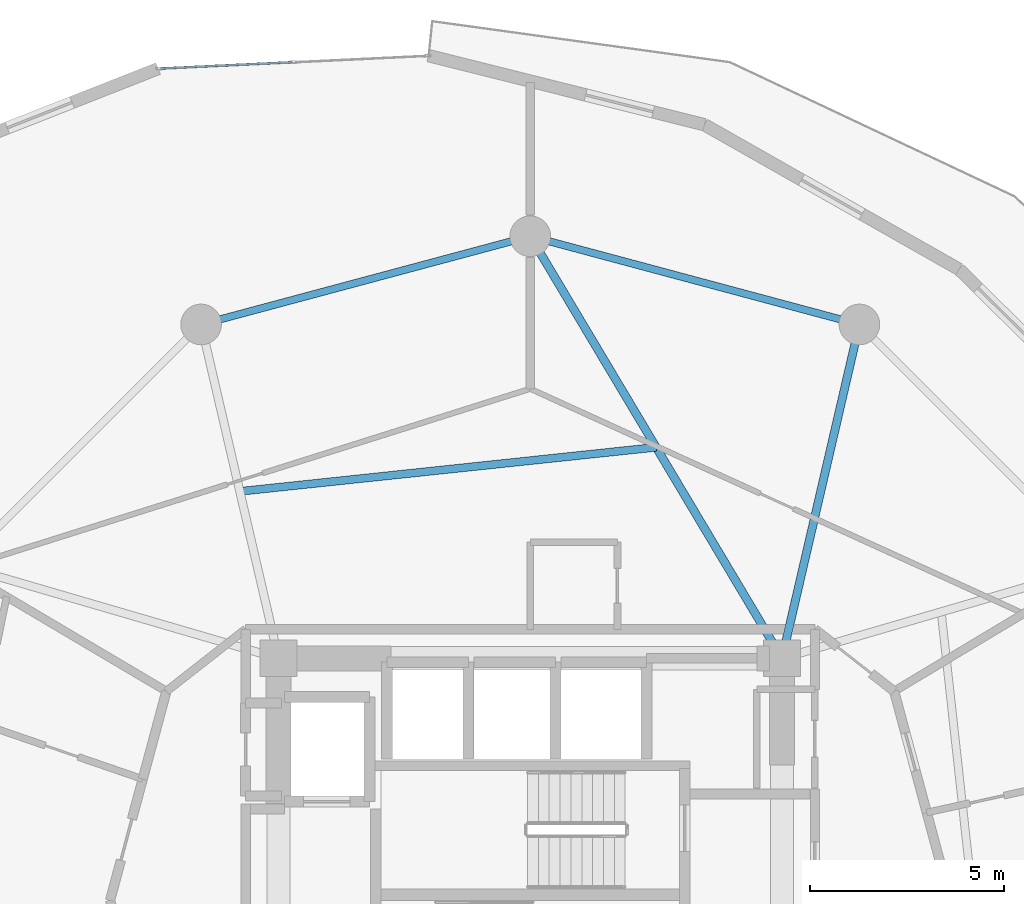
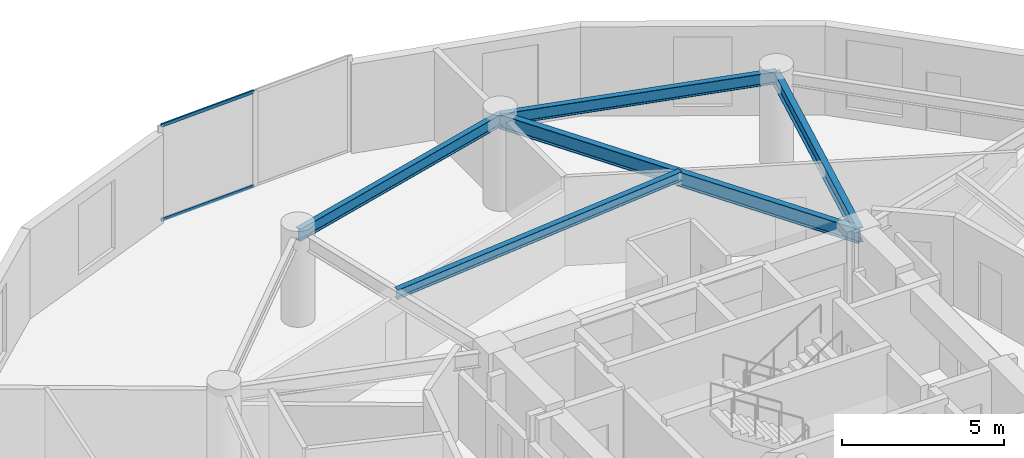
# One storey, part 17 of 25: 5 beams, 2 members, 1 element without a shape of its own.
"""IFC4 building model written with IfcOpenShell, lengths in metres."""

from ifc_helpers import new_model, si_unit, direction, frame, origin, origin_2d, place, context, subcontext, project, spatial, hollow_rectangle, i_section, extrude, source, transform, mapped, material, layer, layer_set, material_profile, profile_set, type_object, element, aggregate, save


model = new_model("IFC4")

# Units and contexts
model_context = context("Model", 3, precision=1e-05, world=origin(), true_north=direction((0.0, 1.0)))
body_context = subcontext(model_context, "Body", "Model", "MODEL_VIEW")
ifc_project = project(units=[si_unit("LENGTHUNIT", "METRE"), si_unit("AREAUNIT", "SQUARE_METRE"), si_unit("VOLUMEUNIT", "CUBIC_METRE"), si_unit("PLANEANGLEUNIT", "RADIAN"), si_unit("MASSUNIT", "GRAM", prefix="KILO")], contexts=[model_context])

# Site, building, storey
site_placement = place(None, origin())
site = spatial("IfcSite", under=ifc_project, at=site_placement, CompositionType="ELEMENT")
building_placement = place(site_placement, origin())
building = spatial("IfcBuilding", under=site, at=building_placement, Name="Solvirekh Grand Hotel", CompositionType="ELEMENT")
storey_placement = place(building_placement, frame((0.0, 0.0, 124.199951171875)))
storey = spatial("IfcBuildingStorey", under=building, at=storey_placement, Name="L31", CompositionType="ELEMENT", Elevation=124.199951171875)

# Beams
ifc_material_1 = material(Name="Steel S355", Category="steel")
ifc_material_profile_1 = material_profile(ifc_material_1, i_section(OverallWidth=0.2119140625, OverallDepth=0.5439453125, WebThickness=0.011962890625, FlangeThickness=0.01904296875, FilletRadius=0.013916015625, at=origin_2d()), Name="W530X123")
ifc_profile_set_1 = profile_set([ifc_material_profile_1], Name="Steel S355")
beam_type_1 = type_object("IfcBeamType", Name="Beam_Radial_W530H", PredefinedType="BEAM", material=ifc_profile_set_1)
beam_1_placement = place(storey_placement, frame((6.5, 6.10009765625, 3.078125), z_axis=(0.225969390542, 0.974134402707, 0.0), x_axis=(-0.974134402707, 0.225969390542, 0.0)))
element("IfcBeam", 1, at=beam_1_placement, inside=storey, type_object=beam_type_1, Name="L31 radial floor beam R03", PredefinedType="BEAM", context=body_context, shape_type="SweptSolid", body=[
    extrude(i_section(OverallWidth=0.2119140625, OverallDepth=0.5439453125, WebThickness=0.011962890625, FlangeThickness=0.01904296875, FilletRadius=0.013916015625, at=origin_2d()), origin(), (0.0, 0.0, 1.0), 8.850830078125),
])
beam_2_placement = place(storey_placement, frame((6.5, 6.10009765625, 3.078125), z_axis=(-0.512179721377, 0.858878299301, 0.0), x_axis=(-0.858878299301, -0.512179721377, 0.0)))
element("IfcBeam", 2, at=beam_2_placement, inside=storey, type_object=beam_type_1, Name="L31 radial floor beam R04", PredefinedType="BEAM", context=body_context, shape_type="SweptSolid", body=[
    extrude(i_section(OverallWidth=0.2119140625, OverallDepth=0.5439453125, WebThickness=0.011962890625, FlangeThickness=0.01904296875, FilletRadius=0.013916015625, at=origin_2d()), origin(), (0.0, 0.0, 1.0), 12.69091796875),
])
ifc_material_profile_2 = material_profile(ifc_material_1, i_section(OverallWidth=0.2041015625, OverallDepth=0.35009765625, WebThickness=0.009033203125, FlangeThickness=0.014892578125, FilletRadius=0.010986328125, at=origin_2d()), Name="W360X72")
ifc_profile_set_2 = profile_set([ifc_material_profile_2], Name="Steel S355")
beam_type_2 = type_object("IfcBeamType", Name="Joist_Floor_W360", PredefinedType="JOIST", material=ifc_profile_set_2)
beam_3_placement = place(storey_placement, frame((3.25, 11.550048828125, 3.175048828125), z_axis=(-0.994432198761, -0.105378375714, 0.0), x_axis=(0.105378375714, -0.994432198761, 0.0)))
element("IfcBeam", 3, at=beam_3_placement, inside=storey, type_object=beam_type_2, Name="L31 secondary composite floor joist 4", PredefinedType="JOIST", context=body_context, shape_type="SweptSolid", body=[
    extrude(i_section(OverallWidth=0.2041015625, OverallDepth=0.35009765625, WebThickness=0.009033203125, FlangeThickness=0.014892578125, FilletRadius=0.010986328125, at=origin_2d()), origin(), (0.0, 0.0, 1.0), 10.810302734375),
])
ifc_material_profile_3 = material_profile(ifc_material_1, i_section(OverallWidth=0.18994140625, OverallDepth=0.45703125, WebThickness=0.009033203125, FlangeThickness=0.013916015625, FilletRadius=0.012939453125, at=origin_2d()), Name="W460X74")
ifc_profile_set_3 = profile_set([ifc_material_profile_3], Name="Steel S355")
beam_type_3 = type_object("IfcBeamType", Name="Spandrel_Ring_W460", PredefinedType="SPANDREL", material=ifc_profile_set_3)
for number, where, z_axis, x_axis, name in (
    (4, (8.5, 14.721923828125, 3.1220703125), (-0.965911391906, 0.258872908946, 0.0), (-0.258872908946, -0.965911391906, 0.0), "L31 perimeter spandrel beam 3"),
    (5, (0.0, 17.0, 3.1220703125), (-0.965911391906, -0.258872908946, 0.0), (0.258872908946, -0.965911391906, 0.0), "L31 perimeter spandrel beam 4"),
):
    element("IfcBeam", number, at=place(storey_placement, frame(where, z_axis=z_axis, x_axis=x_axis)), inside=storey, type_object=beam_type_3, Name=name, PredefinedType="SPANDREL", context=body_context, shape_type="SweptSolid", body=[
        extrude(i_section(OverallWidth=0.18994140625, OverallDepth=0.45703125, WebThickness=0.009033203125, FlangeThickness=0.013916015625, FilletRadius=0.012939453125, at=origin_2d()), origin(), (0.0, 0.0, 1.0), 8.800048828125),
    ])

# Curtain wall, members
ifc_material_2 = material(Name="Anodized Bronze Aluminium 6063-T6", Category="aluminium")
ifc_layer = layer(ifc_material_2, 0.175048828125)
ifc_layer_set = layer_set([ifc_layer], Name="Anodized Bronze Aluminium 6063-T6")
curtain_wall_type = type_object("IfcCurtainWallType", Name="CW_Sys3_MidZoneFlushBronzeCW", PredefinedType="NOTDEFINED", material=ifc_layer_set)
curtain_wall_placement = place(storey_placement, origin())
curtain_wall = element("IfcCurtainWall", 6, at=curtain_wall_placement, inside=storey, type_object=curtain_wall_type, Name="L31 unitised bronze-glass curtain wall CW-L31-C08", PredefinedType="NOTDEFINED")
ifc_material_profile_4 = material_profile(ifc_material_2, hollow_rectangle(XDim=0.054931640625, YDim=0.1201171875, WallThickness=0.00390625, at=origin_2d()), Name="ALU RHS 120X55X4")
ifc_profile_set_4 = profile_set([ifc_material_profile_4], Name="Anodized Bronze Aluminium 6063-T6")
member_type = type_object("IfcMemberType", Name="CWTransom_Sys3", PredefinedType="USERDEFINED", material=ifc_profile_set_4)
shared_shape = source(origin(), body_context, "Body", "SweptSolid", [
    extrude(hollow_rectangle(XDim=0.054931640625, YDim=0.1201171875, WallThickness=0.00390625, at=origin_2d()), origin(), (0.0, 0.0, 1.0), 3.397216796875),
])
member_1_placement = place(storey_placement, frame((-6.15185546875, 21.495849609375, 0.027587890625), z_axis=(-0.998850509903, -0.047933901008, 0.0), x_axis=(0.047933901008, -0.998850509903, 0.0)))
member_1 = element("IfcMember", 7, at=member_1_placement, type_object=member_type, Name="U03 transom 2.1", ObjectType="TRANSOM", PredefinedType="USERDEFINED", context=body_context, shape_type="MappedRepresentation", body=[
    mapped(shared_shape, transform((0.0, 0.0, 0.0), x_axis=(1.0, 0.0, 0.0), y_axis=(0.0, 1.0, 0.0), z_axis=(0.0, 0.0, 1.0), scale=1.0)),
])
member_2_placement = place(storey_placement, frame((-6.15185546875, 21.495849609375, 3.572509765625), z_axis=(-0.998850509903, -0.047933901008, 0.0), x_axis=(0.047933901008, -0.998850509903, 0.0)))
member_2 = element("IfcMember", 8, at=member_2_placement, type_object=member_type, Name="U03 transom 2.2", ObjectType="TRANSOM", PredefinedType="USERDEFINED", context=body_context, shape_type="MappedRepresentation", body=[
    mapped(shared_shape, transform((0.0, 0.0, 0.0), x_axis=(1.0, 0.0, 0.0), y_axis=(0.0, 1.0, 0.0), z_axis=(0.0, 0.0, 1.0), scale=1.0)),
])
aggregate(curtain_wall, [member_1, member_2])

save(model, "model.ifc")
